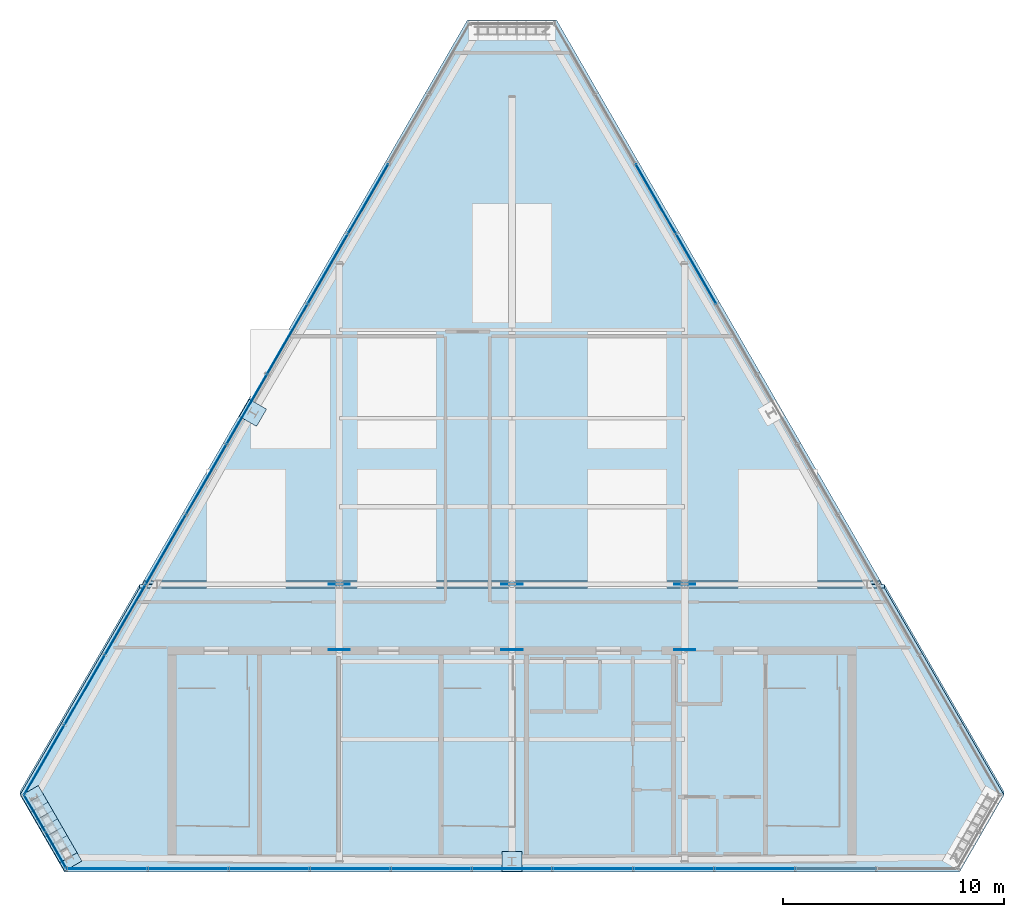
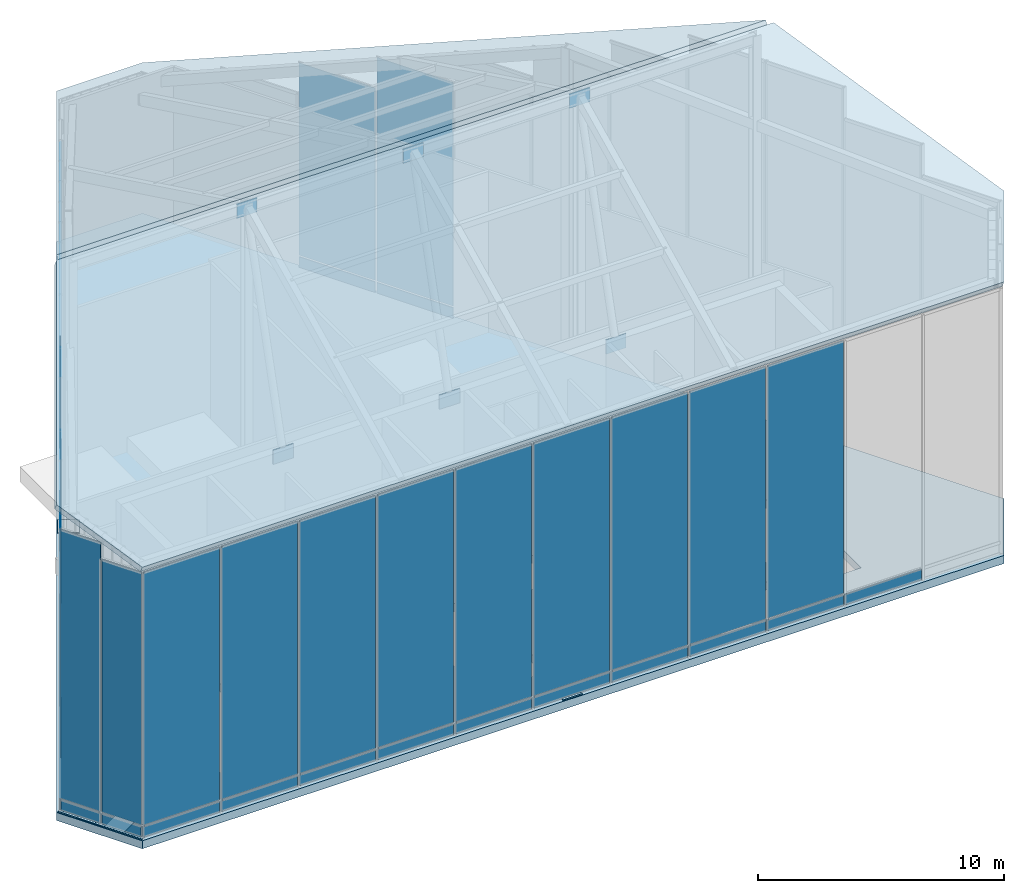
# One storey, part 30 of 36: 61 plates, 3 slabs, 14 elements without a shape of their own.
"""IFC4 building model written with IfcOpenShell, lengths in metres."""

from ifc_helpers import new_model, si_unit, direction, frame, origin, origin_2d, place, context, subcontext, project, spatial, polyline, rectangle, outline, extrude, material, layer, layer_set, type_object, element, aggregate, save


model = new_model("IFC4")

# Units and contexts
model_context = context("Model", 3, precision=1e-05, world=origin(), true_north=direction((0.0, 1.0)))
body_context = subcontext(model_context, "Body", "Model", "MODEL_VIEW")
ifc_project = project(units=[si_unit("LENGTHUNIT", "METRE"), si_unit("AREAUNIT", "SQUARE_METRE"), si_unit("VOLUMEUNIT", "CUBIC_METRE"), si_unit("PLANEANGLEUNIT", "RADIAN"), si_unit("MASSUNIT", "GRAM", prefix="KILO")], contexts=[model_context])

# Site, building, storey
site_placement = place(None, origin())
site = spatial("IfcSite", under=ifc_project, at=site_placement, CompositionType="ELEMENT")
building_placement = place(site_placement, origin())
building = spatial("IfcBuilding", under=site, at=building_placement, Name="Ndaravel Arena Tower", CompositionType="ELEMENT")
storey_placement = place(building_placement, frame((0.0, 0.0, 308.10009765625)))
storey = spatial("IfcBuildingStorey", under=building, at=storey_placement, Name="Roof Crown", CompositionType="ELEMENT", Elevation=308.10009765625)

# Plates
ifc_material_1 = material(Name="Steel S460", Category="steel")
ifc_layer_1 = layer(ifc_material_1, 0.054931640625)
ifc_layer_set_1 = layer_set([ifc_layer_1], Name="Steel S460")
plate_type_1 = type_object("IfcPlateType", Name="PLT-BASE-BP2", PredefinedType="USERDEFINED", material=ifc_layer_set_1)
for number, where, z_axis, x_axis, name in (
    (1, (42.0, 5.47998046875, 0.0), (0.0, 0.0, 1.0), (1.0, 0.0, 0.0), "Crown Column Base Plate CBP-01"),
    (2, (30.2998046875, 25.745361328125, 0.0), (0.0, 0.0, 1.0), (0.5, 0.866025403784, 0.0), "Crown Column Base Plate CBP-19"),
    (3, (20.443115234375, 8.29736328125, 0.0), (0.0, 0.0, 1.0), (-0.5, 0.866025403784, 0.0), "Crown Column Base Plate CBP-20"),
    (4, (20.659912109375, 7.921630859375, 0.0), (0.0, 0.0, 1.0), (-0.5, 0.866025403784, 0.0), "Crown Column Base Plate CBP-21"),
    (5, (20.876953125, 7.546142578125, 0.0), (0.0, 0.0, 1.0), (-0.5, 0.866025403784, 0.0), "Crown Column Base Plate CBP-22"),
    (6, (21.09375, 7.17041015625, 0.0), (0.0, 0.0, 1.0), (-0.5, 0.866025403784, 0.0), "Crown Column Base Plate CBP-23"),
    (7, (21.310546875, 6.794921875, 0.0), (0.0, 0.0, 1.0), (-0.5, 0.866025403784, 0.0), "Crown Column Base Plate CBP-24"),
    (8, (21.527587890625, 6.419189453125, 0.0), (0.0, 0.0, 1.0), (-0.5, 0.866025403784, 0.0), "Crown Column Base Plate CBP-25"),
    (9, (21.744384765625, 6.04345703125, 0.0), (0.0, 0.0, 1.0), (-0.5, 0.866025403784, 0.0), "Crown Column Base Plate CBP-26"),
    (10, (21.961181640625, 5.667724609375, 0.0), (0.0, 0.0, 1.0), (-0.5, 0.866025403784, 0.0), "Crown Column Base Plate CBP-27"),
):
    element("IfcPlate", number, at=place(storey_placement, frame(where, z_axis=z_axis, x_axis=x_axis)), inside=storey, type_object=plate_type_1, Name=name, ObjectType="BASE_PLATE", PredefinedType="USERDEFINED", context=body_context, shape_type="SweptSolid", body=[
        extrude(rectangle(XDim=0.89990234375, YDim=0.89990234375, at=origin_2d()), origin(), (0.0, 0.0, 1.0), 0.054931640625),
    ])

# Curtain wall, plates
ifc_material_2 = material(Name="Aluminium", Category="aluminium")
ifc_layer_2 = layer(ifc_material_2, 0.179931640625)
ifc_layer_set_2 = layer_set([ifc_layer_2], Name="Aluminium")
curtain_wall_type = type_object("IfcCurtainWallType", Name="CW-SYS-06", PredefinedType="NOTDEFINED", material=ifc_layer_set_2)
curtain_wall_1_placement = place(storey_placement, origin())
curtain_wall_1 = element("IfcCurtainWall", 11, at=curtain_wall_1_placement, inside=storey, type_object=curtain_wall_type, Name="Roof Crown Sloped Crown Lantern Curtain Wall CW-CROWN-E01", PredefinedType="NOTDEFINED")
ifc_material_3 = material(Name="Glazing", Category="glass")
ifc_layer_3 = layer(ifc_material_3, 0.0400390625)
ifc_layer_set_3 = layer_set([ifc_layer_3], Name="Glazing")
plate_type_2 = type_object("IfcPlateType", Name="PLT-GLZ-LOWIRON", PredefinedType="CURTAIN_PANEL", material=ifc_layer_set_3)
plate_1_placement = place(storey_placement, frame((23.713623046875, 5.159912109375, 0.64013671875), z_axis=(0.0, 0.0, 1.0), x_axis=(1.0, 0.0, 0.0)))
plate_1 = element("IfcPlate", 12, at=plate_1_placement, type_object=plate_type_2, Name="CW-CROWN-E01 Vision Glass Panel 01", PredefinedType="CURTAIN_PANEL", context=body_context, shape_type="SweptSolid", body=[
    extrude(rectangle(XDim=3.577392578125, YDim=0.035888671875, at=origin_2d()), origin(), (0.0, 0.0, 1.0), 12.528076171875),
])
plate_2_placement = place(storey_placement, frame((27.370849609375, 5.159912109375, 0.64013671875), z_axis=(0.0, 0.0, 1.0), x_axis=(1.0, 0.0, 0.0)))
plate_2 = element("IfcPlate", 13, at=plate_2_placement, type_object=plate_type_2, Name="CW-CROWN-E01 Vision Glass Panel 02", PredefinedType="CURTAIN_PANEL", context=body_context, shape_type="SweptSolid", body=[
    extrude(rectangle(XDim=3.577392578125, YDim=0.035888671875, at=origin_2d()), origin(), (0.0, 0.0, 1.0), 12.528076171875),
])
plate_3_placement = place(storey_placement, frame((31.0283203125, 5.159912109375, 0.64013671875), z_axis=(0.0, 0.0, 1.0), x_axis=(1.0, 0.0, 0.0)))
plate_3 = element("IfcPlate", 14, at=plate_3_placement, type_object=plate_type_2, Name="CW-CROWN-E01 Vision Glass Panel 03", PredefinedType="CURTAIN_PANEL", context=body_context, shape_type="SweptSolid", body=[
    extrude(rectangle(XDim=3.577392578125, YDim=0.035888671875, at=origin_2d()), origin(), (0.0, 0.0, 1.0), 12.528076171875),
])
plate_4_placement = place(storey_placement, frame((34.685546875, 5.159912109375, 0.64013671875), z_axis=(0.0, 0.0, 1.0), x_axis=(1.0, 0.0, 0.0)))
plate_4 = element("IfcPlate", 15, at=plate_4_placement, type_object=plate_type_2, Name="CW-CROWN-E01 Vision Glass Panel 04", PredefinedType="CURTAIN_PANEL", context=body_context, shape_type="SweptSolid", body=[
    extrude(rectangle(XDim=3.577392578125, YDim=0.035888671875, at=origin_2d()), origin(), (0.0, 0.0, 1.0), 12.528076171875),
])
plate_5_placement = place(storey_placement, frame((38.3427734375, 5.159912109375, 0.64013671875), z_axis=(0.0, 0.0, 1.0), x_axis=(1.0, 0.0, 0.0)))
plate_5 = element("IfcPlate", 16, at=plate_5_placement, type_object=plate_type_2, Name="CW-CROWN-E01 Vision Glass Panel 05", PredefinedType="CURTAIN_PANEL", context=body_context, shape_type="SweptSolid", body=[
    extrude(rectangle(XDim=3.577392578125, YDim=0.035888671875, at=origin_2d()), origin(), (0.0, 0.0, 1.0), 12.528076171875),
])
plate_6_placement = place(storey_placement, frame((42.0, 5.159912109375, 0.64013671875), z_axis=(0.0, 0.0, 1.0), x_axis=(1.0, 0.0, 0.0)))
plate_6 = element("IfcPlate", 17, at=plate_6_placement, type_object=plate_type_2, Name="CW-CROWN-E01 Vision Glass Panel 06", PredefinedType="CURTAIN_PANEL", context=body_context, shape_type="SweptSolid", body=[
    extrude(rectangle(XDim=3.577392578125, YDim=0.035888671875, at=origin_2d()), origin(), (0.0, 0.0, 1.0), 12.528076171875),
])
plate_7_placement = place(storey_placement, frame((45.6572265625, 5.159912109375, 0.64013671875), z_axis=(0.0, 0.0, 1.0), x_axis=(1.0, 0.0, 0.0)))
plate_7 = element("IfcPlate", 18, at=plate_7_placement, type_object=plate_type_2, Name="CW-CROWN-E01 Vision Glass Panel 07", PredefinedType="CURTAIN_PANEL", context=body_context, shape_type="SweptSolid", body=[
    extrude(rectangle(XDim=3.577392578125, YDim=0.035888671875, at=origin_2d()), origin(), (0.0, 0.0, 1.0), 12.528076171875),
])
plate_8_placement = place(storey_placement, frame((49.314453125, 5.159912109375, 0.64013671875), z_axis=(0.0, 0.0, 1.0), x_axis=(1.0, 0.0, 0.0)))
plate_8 = element("IfcPlate", 19, at=plate_8_placement, type_object=plate_type_2, Name="CW-CROWN-E01 Vision Glass Panel 08", PredefinedType="CURTAIN_PANEL", context=body_context, shape_type="SweptSolid", body=[
    extrude(rectangle(XDim=3.577392578125, YDim=0.035888671875, at=origin_2d()), origin(), (0.0, 0.0, 1.0), 12.528076171875),
])
plate_9_placement = place(storey_placement, frame((52.9716796875, 5.159912109375, 0.64013671875), z_axis=(0.0, 0.0, 1.0), x_axis=(1.0, 0.0, 0.0)))
plate_9 = element("IfcPlate", 20, at=plate_9_placement, type_object=plate_type_2, Name="CW-CROWN-E01 Vision Glass Panel 09", PredefinedType="CURTAIN_PANEL", context=body_context, shape_type="SweptSolid", body=[
    extrude(rectangle(XDim=3.577392578125, YDim=0.035888671875, at=origin_2d()), origin(), (0.0, 0.0, 1.0), 12.528076171875),
])

# Curtain wall, plate
curtain_wall_2_placement = place(storey_placement, origin())
curtain_wall_2 = element("IfcCurtainWall", 21, at=curtain_wall_2_placement, inside=storey, type_object=curtain_wall_type, Name="Roof Crown Sloped Crown Lantern Curtain Wall CW-CROWN-E03-S08", PredefinedType="NOTDEFINED")
plate_10_placement = place(storey_placement, frame((50.320068359375, 32.239990234375, 0.64013671875), z_axis=(0.0, 0.0, 1.0), x_axis=(-0.499984884929, 0.866034130299, 0.0)))
plate_10 = element("IfcPlate", 22, at=plate_10_placement, type_object=plate_type_2, Name="CW-CROWN-E03-S08 Vision Glass Panel 01", PredefinedType="CURTAIN_PANEL", context=body_context, shape_type="SweptSolid", body=[
    extrude(rectangle(XDim=3.577392578125, YDim=0.035888671875, at=origin_2d()), origin(), (0.0, 0.0, 1.0), 11.072998046875),
])

curtain_wall_3_placement = place(storey_placement, origin())
curtain_wall_3 = element("IfcCurtainWall", 23, at=curtain_wall_3_placement, inside=storey, type_object=curtain_wall_type, Name="Roof Crown Sloped Crown Lantern Curtain Wall CW-CROWN-E03-S09", PredefinedType="NOTDEFINED")
plate_11_placement = place(storey_placement, frame((48.491455078125, 35.4072265625, 0.639892578125), z_axis=(0.0, 0.0, 1.0), x_axis=(-0.499984884929, 0.866034130299, 0.0)))
plate_11 = element("IfcPlate", 24, at=plate_11_placement, type_object=plate_type_2, Name="CW-CROWN-E03-S09 Vision Glass Panel 01", PredefinedType="CURTAIN_PANEL", context=body_context, shape_type="SweptSolid", body=[
    extrude(rectangle(XDim=3.577392578125, YDim=0.035888671875, at=origin_2d()), origin(), (0.0, 0.0, 1.0), 9.5283203125),
])

curtain_wall_4_placement = place(storey_placement, origin())
curtain_wall_4 = element("IfcCurtainWall", 25, at=curtain_wall_4_placement, inside=storey, type_object=curtain_wall_type, Name="Roof Crown Sloped Crown Lantern Curtain Wall CW-CROWN-E05-S03", PredefinedType="NOTDEFINED")
plate_12_placement = place(storey_placement, frame((35.508544921875, 35.4072265625, 0.639892578125), z_axis=(0.0, 0.0, 1.0), x_axis=(-0.499984884929, -0.866034130299, 0.0)))
plate_12 = element("IfcPlate", 26, at=plate_12_placement, type_object=plate_type_2, Name="CW-CROWN-E05-S03 Vision Glass Panel 01", PredefinedType="CURTAIN_PANEL", context=body_context, shape_type="SweptSolid", body=[
    extrude(rectangle(XDim=3.577392578125, YDim=0.035888671875, at=origin_2d()), origin(), (0.0, 0.0, 1.0), 9.5283203125),
])

curtain_wall_5_placement = place(storey_placement, origin())
curtain_wall_5 = element("IfcCurtainWall", 27, at=curtain_wall_5_placement, inside=storey, type_object=curtain_wall_type, Name="Roof Crown Sloped Crown Lantern Curtain Wall CW-CROWN-E05-S04", PredefinedType="NOTDEFINED")
plate_13_placement = place(storey_placement, frame((33.679931640625, 32.239990234375, 0.64013671875), z_axis=(0.0, 0.0, 1.0), x_axis=(-0.499984884929, -0.866034130299, 0.0)))
plate_13 = element("IfcPlate", 28, at=plate_13_placement, type_object=plate_type_2, Name="CW-CROWN-E05-S04 Vision Glass Panel 01", PredefinedType="CURTAIN_PANEL", context=body_context, shape_type="SweptSolid", body=[
    extrude(rectangle(XDim=3.577392578125, YDim=0.035888671875, at=origin_2d()), origin(), (0.0, 0.0, 1.0), 11.072998046875),
])

curtain_wall_6_placement = place(storey_placement, origin())
curtain_wall_6 = element("IfcCurtainWall", 29, at=curtain_wall_6_placement, inside=storey, type_object=curtain_wall_type, Name="Roof Crown Sloped Crown Lantern Curtain Wall CW-CROWN-E05-S05", PredefinedType="NOTDEFINED")
plate_14_placement = place(storey_placement, frame((31.851318359375, 29.072509765625, 0.639892578125), z_axis=(0.0, 0.0, 1.0), x_axis=(-0.500015114919, -0.866016677006, 0.0)))
plate_14 = element("IfcPlate", 30, at=plate_14_placement, type_object=plate_type_2, Name="CW-CROWN-E05-S05 Vision Glass Panel 01", PredefinedType="CURTAIN_PANEL", context=body_context, shape_type="SweptSolid", body=[
    extrude(rectangle(XDim=3.577392578125, YDim=0.035888671875, at=origin_2d()), origin(), (0.0, 0.0, 1.0), 12.61767578125),
])

curtain_wall_7_placement = place(storey_placement, origin())
curtain_wall_7 = element("IfcCurtainWall", 31, at=curtain_wall_7_placement, inside=storey, type_object=curtain_wall_type, Name="Roof Crown Sloped Crown Lantern Curtain Wall CW-CROWN-E05-S06", PredefinedType="NOTDEFINED")
plate_15_placement = place(storey_placement, frame((30.022705078125, 25.9052734375, 0.639892578125), z_axis=(0.0, 0.0, 1.0), x_axis=(-0.5, -0.866025403784, 0.0)))
plate_15 = element("IfcPlate", 32, at=plate_15_placement, type_object=plate_type_2, Name="CW-CROWN-E05-S06 Vision Glass Panel 01", PredefinedType="CURTAIN_PANEL", context=body_context, shape_type="SweptSolid", body=[
    extrude(rectangle(XDim=3.5771484375, YDim=0.035888671875, at=origin_2d()), origin(), (0.0, 0.0, 1.0), 14.16259765625),
])

curtain_wall_8_placement = place(storey_placement, origin())
curtain_wall_8 = element("IfcCurtainWall", 33, at=curtain_wall_8_placement, inside=storey, type_object=curtain_wall_type, Name="Roof Crown Sloped Crown Lantern Curtain Wall CW-CROWN-E05-S07", PredefinedType="NOTDEFINED")
plate_16_placement = place(storey_placement, frame((28.194091796875, 22.738037109375, 0.64013671875), z_axis=(0.0, 0.0, 1.0), x_axis=(-0.500015114919, -0.866016677006, 0.0)))
plate_16 = element("IfcPlate", 34, at=plate_16_placement, type_object=plate_type_2, Name="CW-CROWN-E05-S07 Vision Glass Panel 01", PredefinedType="CURTAIN_PANEL", context=body_context, shape_type="SweptSolid", body=[
    extrude(rectangle(XDim=3.577392578125, YDim=0.035888671875, at=origin_2d()), origin(), (0.0, 0.0, 1.0), 15.707275390625),
])

curtain_wall_9_placement = place(storey_placement, origin())
curtain_wall_9 = element("IfcCurtainWall", 35, at=curtain_wall_9_placement, inside=storey, type_object=curtain_wall_type, Name="Roof Crown Sloped Crown Lantern Curtain Wall CW-CROWN-E05-S08", PredefinedType="NOTDEFINED")
plate_17_placement = place(storey_placement, frame((26.365478515625, 19.57080078125, 0.64013671875), z_axis=(0.0, 0.0, 1.0), x_axis=(-0.499984884929, -0.866034130299, 0.0)))
plate_17 = element("IfcPlate", 36, at=plate_17_placement, type_object=plate_type_2, Name="CW-CROWN-E05-S08 Vision Glass Panel 01", PredefinedType="CURTAIN_PANEL", context=body_context, shape_type="SweptSolid", body=[
    extrude(rectangle(XDim=3.577392578125, YDim=0.035888671875, at=origin_2d()), origin(), (0.0, 0.0, 1.0), 17.252197265625),
])

curtain_wall_10_placement = place(storey_placement, origin())
curtain_wall_10 = element("IfcCurtainWall", 37, at=curtain_wall_10_placement, inside=storey, type_object=curtain_wall_type, Name="Roof Crown Sloped Crown Lantern Curtain Wall CW-CROWN-E05-S09", PredefinedType="NOTDEFINED")
plate_18_placement = place(storey_placement, frame((24.536865234375, 16.4033203125, 0.64013671875), z_axis=(0.0, 0.0, 1.0), x_axis=(-0.499984884929, -0.866034130299, 0.0)))
plate_18 = element("IfcPlate", 38, at=plate_18_placement, type_object=plate_type_2, Name="CW-CROWN-E05-S09 Vision Glass Panel 01", PredefinedType="CURTAIN_PANEL", context=body_context, shape_type="SweptSolid", body=[
    extrude(rectangle(XDim=3.577392578125, YDim=0.035888671875, at=origin_2d()), origin(), (0.0, 0.0, 1.0), 17.239501953125),
])

curtain_wall_11_placement = place(storey_placement, origin())
curtain_wall_11 = element("IfcCurtainWall", 39, at=curtain_wall_11_placement, inside=storey, type_object=curtain_wall_type, Name="Roof Crown Sloped Crown Lantern Curtain Wall CW-CROWN-E05-S10", PredefinedType="NOTDEFINED")
plate_19_placement = place(storey_placement, frame((22.7080078125, 13.236083984375, 0.64013671875), z_axis=(0.0, 0.0, 1.0), x_axis=(-0.500015114919, -0.866016677006, 0.0)))
plate_19 = element("IfcPlate", 40, at=plate_19_placement, type_object=plate_type_2, Name="CW-CROWN-E05-S10 Vision Glass Panel 01", PredefinedType="CURTAIN_PANEL", context=body_context, shape_type="SweptSolid", body=[
    extrude(rectangle(XDim=3.577392578125, YDim=0.035888671875, at=origin_2d()), origin(), (0.0, 0.0, 1.0), 15.694580078125),
])

curtain_wall_12_placement = place(storey_placement, origin())
curtain_wall_12 = element("IfcCurtainWall", 41, at=curtain_wall_12_placement, inside=storey, type_object=curtain_wall_type, Name="Roof Crown Sloped Crown Lantern Curtain Wall CW-CROWN-E05-S11", PredefinedType="NOTDEFINED")
plate_20_placement = place(storey_placement, frame((20.87939453125, 10.06884765625, 0.639892578125), z_axis=(0.0, 0.0, 1.0), x_axis=(-0.499984884929, -0.866034130299, 0.0)))
plate_20 = element("IfcPlate", 42, at=plate_20_placement, type_object=plate_type_2, Name="CW-CROWN-E05-S11 Vision Glass Panel 01", PredefinedType="CURTAIN_PANEL", context=body_context, shape_type="SweptSolid", body=[
    extrude(rectangle(XDim=3.577392578125, YDim=0.035888671875, at=origin_2d()), origin(), (0.0, 0.0, 1.0), 14.14990234375),
])

curtain_wall_13_placement = place(storey_placement, origin())
curtain_wall_13 = element("IfcCurtainWall", 43, at=curtain_wall_13_placement, inside=storey, type_object=curtain_wall_type, Name="Roof Crown Sloped Crown Lantern Curtain Wall CW-CROWN-E06-S01", PredefinedType="NOTDEFINED")
plate_21_placement = place(storey_placement, frame((20.445068359375, 7.65380859375, 0.6396484375), z_axis=(0.0, 0.0, 1.0), x_axis=(0.5, -0.866025403784, 0.0)))
plate_21 = element("IfcPlate", 44, at=plate_21_placement, type_object=plate_type_2, Name="CW-CROWN-E06-S01 Vision Glass Panel 01", PredefinedType="CURTAIN_PANEL", context=body_context, shape_type="SweptSolid", body=[
    extrude(rectangle(XDim=1.83984375, YDim=0.035888671875, at=origin_2d()), origin(), (0.0, 0.0, 1.0), 13.339111328125),
])

curtain_wall_14_placement = place(storey_placement, origin())
curtain_wall_14 = element("IfcCurtainWall", 45, at=curtain_wall_14_placement, inside=storey, type_object=curtain_wall_type, Name="Roof Crown Sloped Crown Lantern Curtain Wall CW-CROWN-E06-S02", PredefinedType="NOTDEFINED")
plate_22_placement = place(storey_placement, frame((21.405029296875, 5.9912109375, 0.64013671875), z_axis=(0.0, 0.0, 1.0), x_axis=(0.5, -0.866025403784, 0.0)))
plate_22 = element("IfcPlate", 46, at=plate_22_placement, type_object=plate_type_2, Name="CW-CROWN-E06-S02 Vision Glass Panel 01", PredefinedType="CURTAIN_PANEL", context=body_context, shape_type="SweptSolid", body=[
    extrude(rectangle(XDim=1.83984375, YDim=0.035888671875, at=origin_2d()), origin(), (0.0, 0.0, 1.0), 12.528076171875),
])

# Plates
ifc_material_4 = material(Name="Steel S460", Category="steel")
ifc_layer_4 = layer(ifc_material_4, 0.044921875)
ifc_layer_set_4 = layer_set([ifc_layer_4], Name="Steel S460")
plate_type_3 = type_object("IfcPlateType", Name="PLT-GUSSET-BN1", PredefinedType="USERDEFINED", material=ifc_layer_set_4)
for number, where, z_axis, x_axis, name in (
    (47, (34.199951171875, 15.050048828125, 8.39990234375), (0.0, 0.0, 1.0), (1.0, 0.0, 0.0), "Roof Crown Brace End Gusset Plate EGP-072"),
    (48, (34.199951171875, 18.0, 18.810546875), (0.0, 0.0, 1.0), (1.0, 0.0, 0.0), "Roof Crown Brace End Gusset Plate EGP-073"),
    (49, (42.0, 15.050048828125, 8.39990234375), (0.0, 0.0, 1.0), (1.0, 0.0, 0.0), "Roof Crown Brace End Gusset Plate EGP-074"),
    (50, (42.0, 18.0, 18.810546875), (0.0, 0.0, 1.0), (1.0, 0.0, 0.0), "Roof Crown Brace End Gusset Plate EGP-075"),
    (51, (49.800048828125, 15.050048828125, 8.39990234375), (0.0, 0.0, 1.0), (1.0, 0.0, 0.0), "Roof Crown Brace End Gusset Plate EGP-076"),
    (52, (49.800048828125, 18.0, 18.810546875), (0.0, 0.0, 1.0), (1.0, 0.0, 0.0), "Roof Crown Brace End Gusset Plate EGP-077"),
):
    element("IfcPlate", number, at=place(storey_placement, frame(where, z_axis=z_axis, x_axis=x_axis)), inside=storey, type_object=plate_type_3, Name=name, ObjectType="GUSSET_PLATE", PredefinedType="USERDEFINED", context=body_context, shape_type="SweptSolid", body=[
        extrude(rectangle(XDim=0.949951171875, YDim=0.044921875, at=origin_2d()), origin(), (0.0, 0.0, 1.0), 0.699951171875),
    ])

# Plate
ifc_material_5 = material(Name="Aluminium", Category="aluminium")
ifc_layer_5 = layer(ifc_material_5, 0.044921875)
ifc_layer_set_5 = layer_set([ifc_layer_5], Name="Aluminium")
plate_type_4 = type_object("IfcPlateType", Name="PLT-SPANDREL-ALU", PredefinedType="SHEET", material=ifc_layer_set_5)
plate_23_placement = place(storey_placement, frame((23.713623046875, 5.159912109375, 0.039794921875), z_axis=(0.0, 0.0, 1.0), x_axis=(1.0, 0.0, 0.0)))
plate_23 = element("IfcPlate", 53, at=plate_23_placement, type_object=plate_type_4, Name="CW-CROWN-E01 Spandrel Panel 01", PredefinedType="SHEET", context=body_context, shape_type="SweptSolid", body=[
    extrude(rectangle(XDim=3.577392578125, YDim=0.044921875, at=origin_2d()), origin(), (0.0, 0.0, 1.0), 0.52001953125),
])

plate_24_placement = place(storey_placement, frame((27.370849609375, 5.159912109375, 0.039794921875), z_axis=(0.0, 0.0, 1.0), x_axis=(1.0, 0.0, 0.0)))
plate_24 = element("IfcPlate", 54, at=plate_24_placement, type_object=plate_type_4, Name="CW-CROWN-E01 Spandrel Panel 02", PredefinedType="SHEET", context=body_context, shape_type="SweptSolid", body=[
    extrude(rectangle(XDim=3.577392578125, YDim=0.044921875, at=origin_2d()), origin(), (0.0, 0.0, 1.0), 0.52001953125),
])

plate_25_placement = place(storey_placement, frame((31.0283203125, 5.159912109375, 0.039794921875), z_axis=(0.0, 0.0, 1.0), x_axis=(1.0, 0.0, 0.0)))
plate_25 = element("IfcPlate", 55, at=plate_25_placement, type_object=plate_type_4, Name="CW-CROWN-E01 Spandrel Panel 03", PredefinedType="SHEET", context=body_context, shape_type="SweptSolid", body=[
    extrude(rectangle(XDim=3.577392578125, YDim=0.044921875, at=origin_2d()), origin(), (0.0, 0.0, 1.0), 0.52001953125),
])

plate_26_placement = place(storey_placement, frame((34.685546875, 5.159912109375, 0.039794921875), z_axis=(0.0, 0.0, 1.0), x_axis=(1.0, 0.0, 0.0)))
plate_26 = element("IfcPlate", 56, at=plate_26_placement, type_object=plate_type_4, Name="CW-CROWN-E01 Spandrel Panel 04", PredefinedType="SHEET", context=body_context, shape_type="SweptSolid", body=[
    extrude(rectangle(XDim=3.577392578125, YDim=0.044921875, at=origin_2d()), origin(), (0.0, 0.0, 1.0), 0.52001953125),
])

plate_27_placement = place(storey_placement, frame((38.3427734375, 5.159912109375, 0.039794921875), z_axis=(0.0, 0.0, 1.0), x_axis=(1.0, 0.0, 0.0)))
plate_27 = element("IfcPlate", 57, at=plate_27_placement, type_object=plate_type_4, Name="CW-CROWN-E01 Spandrel Panel 05", PredefinedType="SHEET", context=body_context, shape_type="SweptSolid", body=[
    extrude(rectangle(XDim=3.577392578125, YDim=0.044921875, at=origin_2d()), origin(), (0.0, 0.0, 1.0), 0.52001953125),
])

plate_28_placement = place(storey_placement, frame((42.0, 5.159912109375, 0.039794921875), z_axis=(0.0, 0.0, 1.0), x_axis=(1.0, 0.0, 0.0)))
plate_28 = element("IfcPlate", 58, at=plate_28_placement, type_object=plate_type_4, Name="CW-CROWN-E01 Spandrel Panel 06", PredefinedType="SHEET", context=body_context, shape_type="SweptSolid", body=[
    extrude(rectangle(XDim=3.577392578125, YDim=0.044921875, at=origin_2d()), origin(), (0.0, 0.0, 1.0), 0.52001953125),
])

plate_29_placement = place(storey_placement, frame((45.6572265625, 5.159912109375, 0.039794921875), z_axis=(0.0, 0.0, 1.0), x_axis=(1.0, 0.0, 0.0)))
plate_29 = element("IfcPlate", 59, at=plate_29_placement, type_object=plate_type_4, Name="CW-CROWN-E01 Spandrel Panel 07", PredefinedType="SHEET", context=body_context, shape_type="SweptSolid", body=[
    extrude(rectangle(XDim=3.577392578125, YDim=0.044921875, at=origin_2d()), origin(), (0.0, 0.0, 1.0), 0.52001953125),
])

plate_30_placement = place(storey_placement, frame((49.314453125, 5.159912109375, 0.039794921875), z_axis=(0.0, 0.0, 1.0), x_axis=(1.0, 0.0, 0.0)))
plate_30 = element("IfcPlate", 60, at=plate_30_placement, type_object=plate_type_4, Name="CW-CROWN-E01 Spandrel Panel 08", PredefinedType="SHEET", context=body_context, shape_type="SweptSolid", body=[
    extrude(rectangle(XDim=3.577392578125, YDim=0.044921875, at=origin_2d()), origin(), (0.0, 0.0, 1.0), 0.52001953125),
])

plate_31_placement = place(storey_placement, frame((52.9716796875, 5.159912109375, 0.039794921875), z_axis=(0.0, 0.0, 1.0), x_axis=(1.0, 0.0, 0.0)))
plate_31 = element("IfcPlate", 61, at=plate_31_placement, type_object=plate_type_4, Name="CW-CROWN-E01 Spandrel Panel 09", PredefinedType="SHEET", context=body_context, shape_type="SweptSolid", body=[
    extrude(rectangle(XDim=3.577392578125, YDim=0.044921875, at=origin_2d()), origin(), (0.0, 0.0, 1.0), 0.52001953125),
])

plate_32_placement = place(storey_placement, frame((56.629150390625, 5.159912109375, 0.039794921875), z_axis=(0.0, 0.0, 1.0), x_axis=(1.0, 0.0, 0.0)))
plate_32 = element("IfcPlate", 62, at=plate_32_placement, type_object=plate_type_4, Name="CW-CROWN-E01 Spandrel Panel 10", PredefinedType="SHEET", context=body_context, shape_type="SweptSolid", body=[
    extrude(rectangle(XDim=3.577392578125, YDim=0.044921875, at=origin_2d()), origin(), (0.0, 0.0, 1.0), 0.52001953125),
])

aggregate(curtain_wall_1, [plate_23, plate_1, plate_24, plate_2, plate_25, plate_3, plate_26, plate_4, plate_27, plate_5, plate_28, plate_6, plate_29, plate_7, plate_30, plate_8, plate_31, plate_9, plate_32])

plate_33_placement = place(storey_placement, frame((50.320068359375, 32.239990234375, 0.039794921875), z_axis=(0.0, 0.0, 1.0), x_axis=(-0.499984884929, 0.866034130299, 0.0)))
plate_33 = element("IfcPlate", 63, at=plate_33_placement, type_object=plate_type_4, Name="CW-CROWN-E03-S08 Spandrel Panel 01", PredefinedType="SHEET", context=body_context, shape_type="SweptSolid", body=[
    extrude(rectangle(XDim=3.577392578125, YDim=0.044921875, at=origin_2d()), origin(), (0.0, 0.0, 1.0), 0.52001953125),
])

aggregate(curtain_wall_2, [plate_33, plate_10])

plate_34_placement = place(storey_placement, frame((48.491455078125, 35.4072265625, 0.039794921875), z_axis=(0.0, 0.0, 1.0), x_axis=(-0.499984884929, 0.866034130299, 0.0)))
plate_34 = element("IfcPlate", 64, at=plate_34_placement, type_object=plate_type_4, Name="CW-CROWN-E03-S09 Spandrel Panel 01", PredefinedType="SHEET", context=body_context, shape_type="SweptSolid", body=[
    extrude(rectangle(XDim=3.577392578125, YDim=0.044921875, at=origin_2d()), origin(), (0.0, 0.0, 1.0), 0.52001953125),
])

aggregate(curtain_wall_3, [plate_34, plate_11])

plate_35_placement = place(storey_placement, frame((35.508544921875, 35.4072265625, 0.039794921875), z_axis=(0.0, 0.0, 1.0), x_axis=(-0.499984884929, -0.866034130299, 0.0)))
plate_35 = element("IfcPlate", 65, at=plate_35_placement, type_object=plate_type_4, Name="CW-CROWN-E05-S03 Spandrel Panel 01", PredefinedType="SHEET", context=body_context, shape_type="SweptSolid", body=[
    extrude(rectangle(XDim=3.577392578125, YDim=0.044921875, at=origin_2d()), origin(), (0.0, 0.0, 1.0), 0.52001953125),
])

aggregate(curtain_wall_4, [plate_35, plate_12])

plate_36_placement = place(storey_placement, frame((33.679931640625, 32.239990234375, 0.039794921875), z_axis=(0.0, 0.0, 1.0), x_axis=(-0.499984884929, -0.866034130299, 0.0)))
plate_36 = element("IfcPlate", 66, at=plate_36_placement, type_object=plate_type_4, Name="CW-CROWN-E05-S04 Spandrel Panel 01", PredefinedType="SHEET", context=body_context, shape_type="SweptSolid", body=[
    extrude(rectangle(XDim=3.577392578125, YDim=0.044921875, at=origin_2d()), origin(), (0.0, 0.0, 1.0), 0.52001953125),
])

aggregate(curtain_wall_5, [plate_36, plate_13])

plate_37_placement = place(storey_placement, frame((31.851318359375, 29.072509765625, 0.039794921875), z_axis=(0.0, 0.0, 1.0), x_axis=(-0.500015114919, -0.866016677006, 0.0)))
plate_37 = element("IfcPlate", 67, at=plate_37_placement, type_object=plate_type_4, Name="CW-CROWN-E05-S05 Spandrel Panel 01", PredefinedType="SHEET", context=body_context, shape_type="SweptSolid", body=[
    extrude(rectangle(XDim=3.577392578125, YDim=0.044921875, at=origin_2d()), origin(), (0.0, 0.0, 1.0), 0.52001953125),
])

aggregate(curtain_wall_6, [plate_37, plate_14])

plate_38_placement = place(storey_placement, frame((30.022705078125, 25.9052734375, 0.039794921875), z_axis=(0.0, 0.0, 1.0), x_axis=(-0.5, -0.866025403784, 0.0)))
plate_38 = element("IfcPlate", 68, at=plate_38_placement, type_object=plate_type_4, Name="CW-CROWN-E05-S06 Spandrel Panel 01", PredefinedType="SHEET", context=body_context, shape_type="SweptSolid", body=[
    extrude(rectangle(XDim=3.5771484375, YDim=0.044921875, at=origin_2d()), origin(), (0.0, 0.0, 1.0), 0.52001953125),
])

aggregate(curtain_wall_7, [plate_38, plate_15])

plate_39_placement = place(storey_placement, frame((28.194091796875, 22.738037109375, 0.039794921875), z_axis=(0.0, 0.0, 1.0), x_axis=(-0.500015114919, -0.866016677006, 0.0)))
plate_39 = element("IfcPlate", 69, at=plate_39_placement, type_object=plate_type_4, Name="CW-CROWN-E05-S07 Spandrel Panel 01", PredefinedType="SHEET", context=body_context, shape_type="SweptSolid", body=[
    extrude(rectangle(XDim=3.577392578125, YDim=0.044921875, at=origin_2d()), origin(), (0.0, 0.0, 1.0), 0.52001953125),
])

aggregate(curtain_wall_8, [plate_39, plate_16])

plate_40_placement = place(storey_placement, frame((26.365478515625, 19.57080078125, 0.039794921875), z_axis=(0.0, 0.0, 1.0), x_axis=(-0.499984884929, -0.866034130299, 0.0)))
plate_40 = element("IfcPlate", 70, at=plate_40_placement, type_object=plate_type_4, Name="CW-CROWN-E05-S08 Spandrel Panel 01", PredefinedType="SHEET", context=body_context, shape_type="SweptSolid", body=[
    extrude(rectangle(XDim=3.577392578125, YDim=0.044921875, at=origin_2d()), origin(), (0.0, 0.0, 1.0), 0.52001953125),
])

aggregate(curtain_wall_9, [plate_40, plate_17])

plate_41_placement = place(storey_placement, frame((24.536865234375, 16.4033203125, 0.039794921875), z_axis=(0.0, 0.0, 1.0), x_axis=(-0.499984884929, -0.866034130299, 0.0)))
plate_41 = element("IfcPlate", 71, at=plate_41_placement, type_object=plate_type_4, Name="CW-CROWN-E05-S09 Spandrel Panel 01", PredefinedType="SHEET", context=body_context, shape_type="SweptSolid", body=[
    extrude(rectangle(XDim=3.577392578125, YDim=0.044921875, at=origin_2d()), origin(), (0.0, 0.0, 1.0), 0.52001953125),
])

aggregate(curtain_wall_10, [plate_41, plate_18])

plate_42_placement = place(storey_placement, frame((22.7080078125, 13.236083984375, 0.039794921875), z_axis=(0.0, 0.0, 1.0), x_axis=(-0.500015114919, -0.866016677006, 0.0)))
plate_42 = element("IfcPlate", 72, at=plate_42_placement, type_object=plate_type_4, Name="CW-CROWN-E05-S10 Spandrel Panel 01", PredefinedType="SHEET", context=body_context, shape_type="SweptSolid", body=[
    extrude(rectangle(XDim=3.577392578125, YDim=0.044921875, at=origin_2d()), origin(), (0.0, 0.0, 1.0), 0.52001953125),
])

aggregate(curtain_wall_11, [plate_42, plate_19])

plate_43_placement = place(storey_placement, frame((20.87939453125, 10.06884765625, 0.039794921875), z_axis=(0.0, 0.0, 1.0), x_axis=(-0.499984884929, -0.866034130299, 0.0)))
plate_43 = element("IfcPlate", 73, at=plate_43_placement, type_object=plate_type_4, Name="CW-CROWN-E05-S11 Spandrel Panel 01", PredefinedType="SHEET", context=body_context, shape_type="SweptSolid", body=[
    extrude(rectangle(XDim=3.577392578125, YDim=0.044921875, at=origin_2d()), origin(), (0.0, 0.0, 1.0), 0.52001953125),
])

aggregate(curtain_wall_12, [plate_43, plate_20])

plate_44_placement = place(storey_placement, frame((20.445068359375, 7.65380859375, 0.039794921875), z_axis=(0.0, 0.0, 1.0), x_axis=(0.5, -0.866025403784, 0.0)))
plate_44 = element("IfcPlate", 74, at=plate_44_placement, type_object=plate_type_4, Name="CW-CROWN-E06-S01 Spandrel Panel 01", PredefinedType="SHEET", context=body_context, shape_type="SweptSolid", body=[
    extrude(rectangle(XDim=1.83984375, YDim=0.044921875, at=origin_2d()), origin(), (0.0, 0.0, 1.0), 0.52001953125),
])

aggregate(curtain_wall_13, [plate_44, plate_21])

plate_45_placement = place(storey_placement, frame((21.405029296875, 5.9912109375, 0.039794921875), z_axis=(0.0, 0.0, 1.0), x_axis=(0.5, -0.866025403784, 0.0)))
plate_45 = element("IfcPlate", 75, at=plate_45_placement, type_object=plate_type_4, Name="CW-CROWN-E06-S02 Spandrel Panel 01", PredefinedType="SHEET", context=body_context, shape_type="SweptSolid", body=[
    extrude(rectangle(XDim=1.83984375, YDim=0.044921875, at=origin_2d()), origin(), (0.0, 0.0, 1.0), 0.52001953125),
])

aggregate(curtain_wall_14, [plate_45, plate_22])

# Slabs
ifc_material_6 = material(Name="Concrete C40/50", Category="concrete")
ifc_layer_6 = layer(ifc_material_6, 0.35009765625)
ifc_layer_set_6 = layer_set([ifc_layer_6], Name="Concrete C40/50")
slab_type_1 = type_object("IfcSlabType", Name="SLAB-CROWN-ROOF-350", PredefinedType="ROOF", material=ifc_layer_set_6)
slab_1_placement = place(storey_placement, frame((58.818603515625, 17.840087890625, 19.822021484375), z_axis=(0.0, -0.438381040722, 0.898789220638), x_axis=(-1.0, 0.0, 0.0)))
element("IfcSlab", 76, at=slab_1_placement, inside=storey, type_object=slab_type_1, Name="Roof Crown South Sloped Roof Slab", PredefinedType="ROOF", context=body_context, shape_type="SweptSolid", body=[
    extrude(outline(polyline([(0.0, 0.0), (33.63720703125, 0.0), (39.0380859375, 10.408376129509172), (37.026123046875, 14.285979476959898), (-3.388916015625, 14.285979476959898), (-5.40087890625, 10.408376129509172), (0.0, 0.0)])), origin(), (0.0, 0.0, -1.0), 0.35009765625),
])
slab_2_placement = place(storey_placement, frame((25.3662109375, 18.159912109375, 19.822021484375), z_axis=(0.0, 0.438378393904, 0.898790511609), x_axis=(1.0, 0.0, 0.0)))
element("IfcSlab", 77, at=slab_2_placement, inside=storey, type_object=slab_type_1, Name="Roof Crown North Sloped Roof Slab", PredefinedType="ROOF", context=body_context, shape_type="SweptSolid", body=[
    extrude(outline(polyline([(0.0, 0.0), (33.267578125, 0.0), (18.64599609375, 28.177243891673992), (14.62158203125, 28.177243891673992), (0.0, 0.0)])), origin(), (0.0, 0.0, -1.0), 0.35009765625),
])
ifc_material_7 = material(Name="Concrete C40/50", Category="concrete")
ifc_layer_7 = layer(ifc_material_7, 0.39990234375)
ifc_layer_set_7 = layer_set([ifc_layer_7], Name="Concrete C40/50")
slab_type_2 = type_object("IfcSlabType", Name="SLAB-L00-400", PredefinedType="FLOOR", material=ifc_layer_set_7)
slab_3_placement = place(storey_placement, frame((0.0, 0.0, -0.400146484375)))
element("IfcSlab", 78, at=slab_3_placement, inside=storey, type_object=slab_type_2, Name="Roof Crown Structural Floor Slab", PredefinedType="FLOOR", context=body_context, shape_type="SweptSolid", body=[
    extrude(outline(polyline([(19.780517578125, 8.485107421875), (21.79248046875, 5.0), (62.20751953125, 5.0), (64.219482421875, 8.485107421875), (44.01220703125, 43.4853515625), (39.98779296875, 43.4853515625), (19.780517578125, 8.485107421875)]), holes=[polyline([(26.949951171875, 13.215087890625), (26.949951171875, 7.14990234375), (30.090087890625, 7.14990234375), (30.090087890625, 13.215087890625), (26.949951171875, 13.215087890625)]), polyline([(38.949951171875, 13.215087890625), (38.949951171875, 7.14990234375), (42.090087890625, 7.14990234375), (42.090087890625, 13.215087890625), (38.949951171875, 13.215087890625)]), polyline([(53.60009765625, 13.215087890625), (53.60009765625, 7.14990234375), (56.739990234375, 7.14990234375), (56.739990234375, 13.215087890625), (53.60009765625, 13.215087890625)]), polyline([(42.784912109375, 12.510009765625), (44.31494140625, 12.510009765625), (44.31494140625, 14.590087890625), (42.784912109375, 14.590087890625), (42.784912109375, 12.510009765625)]), polyline([(44.385009765625, 12.510009765625), (45.9150390625, 12.510009765625), (45.9150390625, 14.590087890625), (44.385009765625, 14.590087890625), (44.385009765625, 12.510009765625)]), polyline([(49.485107421875, 5.909912109375), (51.215087890625, 5.909912109375), (51.215087890625, 8.18994140625), (49.485107421875, 8.18994140625), (49.485107421875, 5.909912109375)]), polyline([(51.534912109375, 5.909912109375), (53.264892578125, 5.909912109375), (53.264892578125, 8.18994140625), (51.534912109375, 8.18994140625), (51.534912109375, 5.909912109375)]), polyline([(49.4599609375, 12.68505859375), (51.43994140625, 12.68505859375), (51.43994140625, 14.715087890625), (49.4599609375, 14.715087890625), (49.4599609375, 12.68505859375)])]), origin(), (0.0, 0.0, 1.0), 0.400146484375),
])

save(model, "model.ifc")
